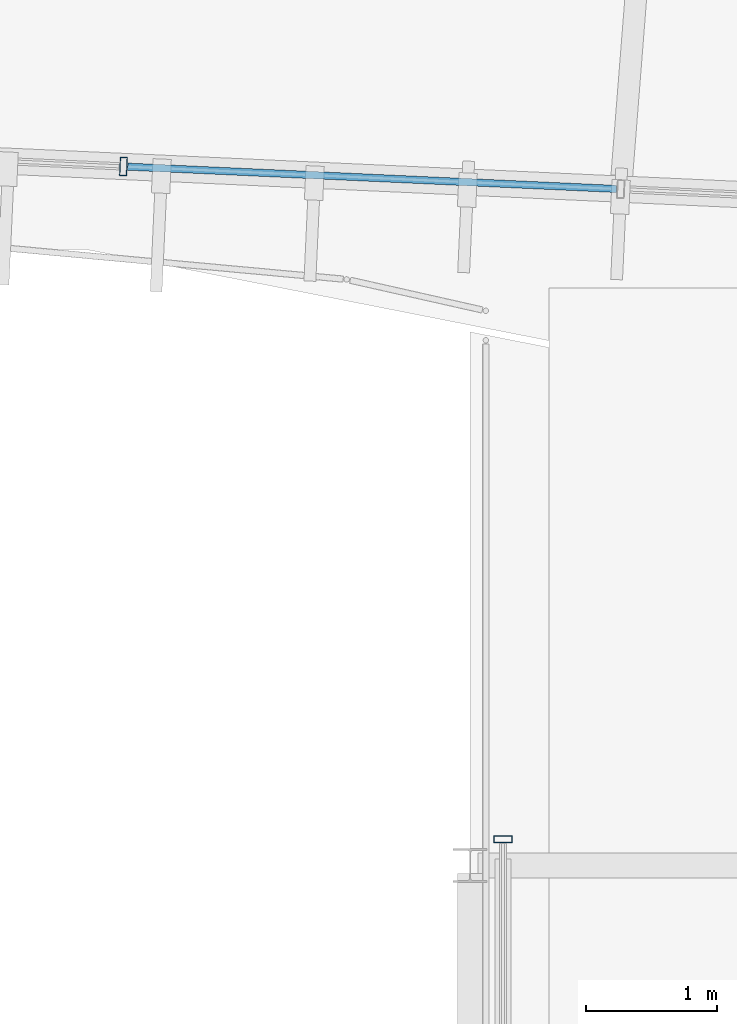
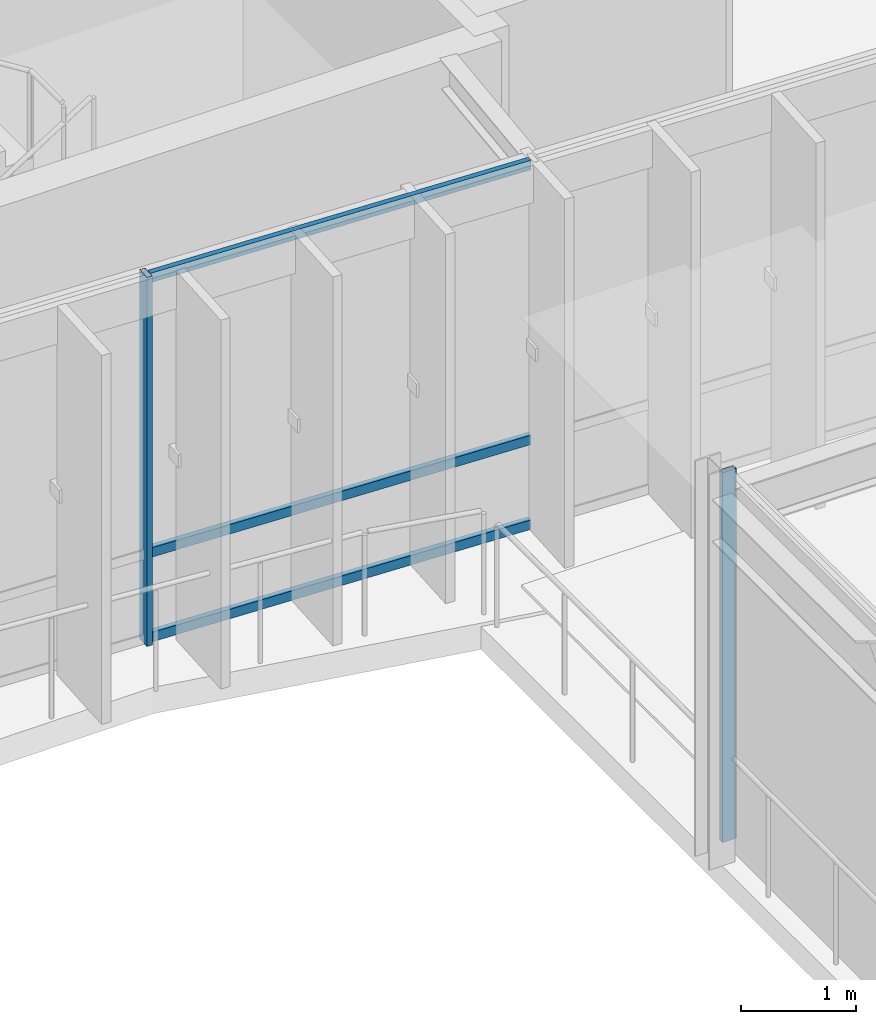
# One storey, part 38 of 152: 5 members, 2 elements without a shape of their own.
"""IFC4 building model written with IfcOpenShell, lengths in metres."""

from ifc_helpers import new_model, si_unit, direction, frame, origin, origin_2d, place, context, subcontext, project, spatial, hollow_rectangle, extrude, material, material_profile, profile_set, type_object, element, aggregate, save


model = new_model("IFC4")

# Units and contexts
model_context = context("Model", 3, precision=1e-05, world=origin(), true_north=direction((0.0, 1.0)))
body_context = subcontext(model_context, "Body", "Model", "MODEL_VIEW")
ifc_project = project(units=[si_unit("LENGTHUNIT", "METRE"), si_unit("AREAUNIT", "SQUARE_METRE"), si_unit("VOLUMEUNIT", "CUBIC_METRE"), si_unit("PLANEANGLEUNIT", "RADIAN"), si_unit("MASSUNIT", "GRAM", prefix="KILO"), si_unit("THERMODYNAMICTEMPERATUREUNIT", "KELVIN"), si_unit("POWERUNIT", "WATT")], contexts=[model_context])

# Site, building, storey
site_placement = place(None, origin())
site = spatial("IfcSite", under=ifc_project, at=site_placement, CompositionType="ELEMENT")
building_placement = place(site_placement, origin())
building = spatial("IfcBuilding", under=site, at=building_placement, Name="Darbajah Civic Hall", CompositionType="ELEMENT")
storey_placement = place(building_placement, frame((0.0, 0.0, 5.39990234375)))
storey = spatial("IfcBuildingStorey", under=building, at=storey_placement, Name="L01", CompositionType="ELEMENT", Elevation=5.39990234375)

# Curtain wall, member
ifc_material_1 = material(Name="Anodised Bronze Aluminium and Low-E Glazing", Category="aluminium")
curtain_wall_type_1 = type_object("IfcCurtainWallType", Name="Unitised Curtain Wall CW-32 15200x3900", PredefinedType="USERDEFINED", material=ifc_material_1)
curtain_wall_1_placement = place(storey_placement, origin())
curtain_wall_1 = element("IfcCurtainWall", 1, at=curtain_wall_1_placement, inside=storey, type_object=curtain_wall_type_1, Name="L01 unitised curtain wall CW-V1O-L01-14", ObjectType="UNITISED CURTAIN WALL", PredefinedType="USERDEFINED")
ifc_material_2 = material(Name="Anodised Bronze Aluminium", Category="aluminium")
ifc_material_profile_1 = material_profile(ifc_material_2, hollow_rectangle(XDim=0.054931640625, YDim=0.139892578125, WallThickness=0.003173828125, at=origin_2d()), Name="ALU MULLION 55x140")
ifc_profile_set_1 = profile_set([ifc_material_profile_1], Name="Anodised Bronze Aluminium")
member_type_1 = type_object("IfcMemberType", Name="ALU MULLION 55x140", PredefinedType="MULLION", material=ifc_profile_set_1)
member_1_placement = place(storey_placement, frame((81.359375, 60.925537109375, 0.0), z_axis=(0.0, 0.0, 1.0), x_axis=(0.998962637241, -0.045537340693, 0.0)))
member_1 = element("IfcMember", 2, at=member_1_placement, type_object=member_type_1, Name="CW-V1O-L01-14 mullion 2", PredefinedType="MULLION", context=body_context, shape_type="SweptSolid", body=[
    extrude(hollow_rectangle(XDim=0.054931640625, YDim=0.139892578125, WallThickness=0.003173828125, at=origin_2d()), origin(), (0.0, 0.0, 1.0), 3.920166015625),
])

curtain_wall_type_2 = type_object("IfcCurtainWallType", Name="Unitised Curtain Wall CW-104 13400x3950", PredefinedType="USERDEFINED", material=ifc_material_1)
curtain_wall_2_placement = place(storey_placement, origin())
curtain_wall_2 = element("IfcCurtainWall", 3, at=curtain_wall_2_placement, inside=storey, type_object=curtain_wall_type_2, Name="L01 unitised curtain wall CW-V6-PW-L01", ObjectType="UNITISED CURTAIN WALL", PredefinedType="USERDEFINED")
member_2_placement = place(storey_placement, frame((84.25, 55.800048828125, 0.0), z_axis=(0.0, 0.0, 1.0), x_axis=(0.0, 1.0, 0.0)))
member_2 = element("IfcMember", 4, at=member_2_placement, type_object=member_type_1, Name="CW-V6-PW-L01 mullion 4", PredefinedType="MULLION", context=body_context, shape_type="SweptSolid", body=[
    extrude(hollow_rectangle(XDim=0.054931640625, YDim=0.139892578125, WallThickness=0.003173828125, at=origin_2d()), origin(), (0.0, 0.0, 1.0), 3.93017578125),
])
aggregate(curtain_wall_2, [member_2])

# Member
ifc_material_profile_2 = material_profile(ifc_material_2, hollow_rectangle(XDim=0.054931640625, YDim=0.10009765625, WallThickness=0.0029296875, at=origin_2d()), Name="ALU TRANSOM 55x100")
ifc_profile_set_2 = profile_set([ifc_material_profile_2], Name="Anodised Bronze Aluminium")
member_type_2 = type_object("IfcMemberType", Name="ALU TRANSOM 55x100", PredefinedType="USERDEFINED", material=ifc_profile_set_2)
member_3_placement = place(storey_placement, frame((81.391845703125, 60.924072265625, 0.050048828125), z_axis=(0.998963402091, -0.045520558907, 0.0), x_axis=(0.045520558907, 0.998963402091, 0.0)))
member_3 = element("IfcMember", 5, at=member_3_placement, type_object=member_type_2, Name="CW-V1O-L01-14 transom 2.1", ObjectType="TRANSOM", PredefinedType="USERDEFINED", context=body_context, shape_type="SweptSolid", body=[
    extrude(hollow_rectangle(XDim=0.054931640625, YDim=0.10009765625, WallThickness=0.0029296875, at=origin_2d()), origin(), (0.0, 0.0, 1.0), 3.7275390625),
])

member_4_placement = place(storey_placement, frame((81.391845703125, 60.924072265625, 0.9501953125), z_axis=(0.998963402091, -0.045520558907, 0.0), x_axis=(0.045520558907, 0.998963402091, 0.0)))
member_4 = element("IfcMember", 6, at=member_4_placement, type_object=member_type_2, Name="CW-V1O-L01-14 transom 2.2", ObjectType="TRANSOM", PredefinedType="USERDEFINED", context=body_context, shape_type="SweptSolid", body=[
    extrude(hollow_rectangle(XDim=0.054931640625, YDim=0.10009765625, WallThickness=0.0029296875, at=origin_2d()), origin(), (0.0, 0.0, 1.0), 3.7275390625),
])

member_5_placement = place(storey_placement, frame((81.391845703125, 60.924072265625, 3.8701171875), z_axis=(0.998963402091, -0.045520558907, 0.0), x_axis=(0.045520558907, 0.998963402091, 0.0)))
member_5 = element("IfcMember", 7, at=member_5_placement, type_object=member_type_2, Name="CW-V1O-L01-14 transom 2.3", ObjectType="TRANSOM", PredefinedType="USERDEFINED", context=body_context, shape_type="SweptSolid", body=[
    extrude(hollow_rectangle(XDim=0.054931640625, YDim=0.10009765625, WallThickness=0.0029296875, at=origin_2d()), origin(), (0.0, 0.0, 1.0), 3.7275390625),
])

aggregate(curtain_wall_1, [member_1, member_3, member_4, member_5])

save(model, "model.ifc")
